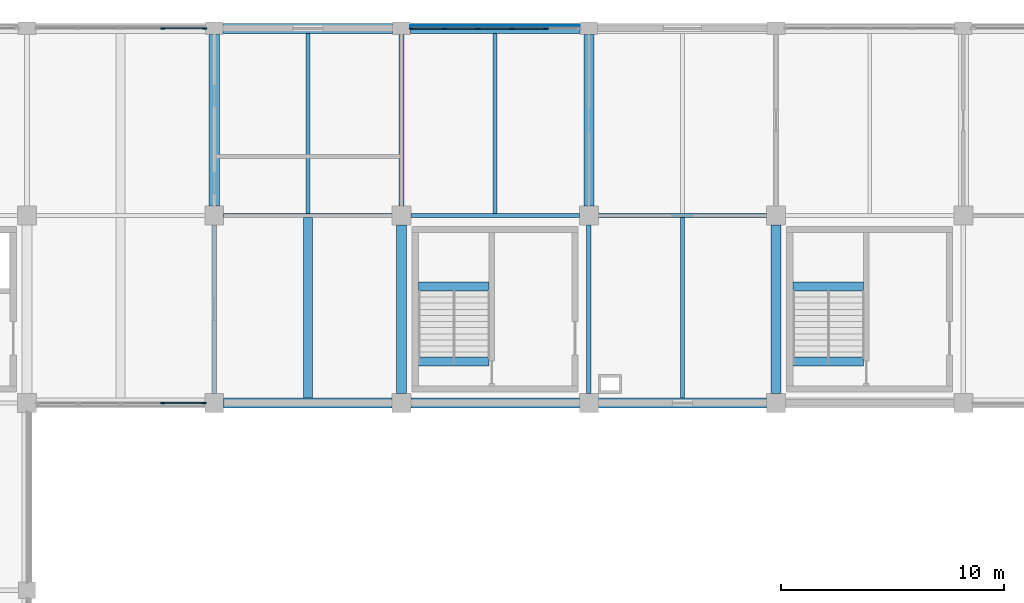
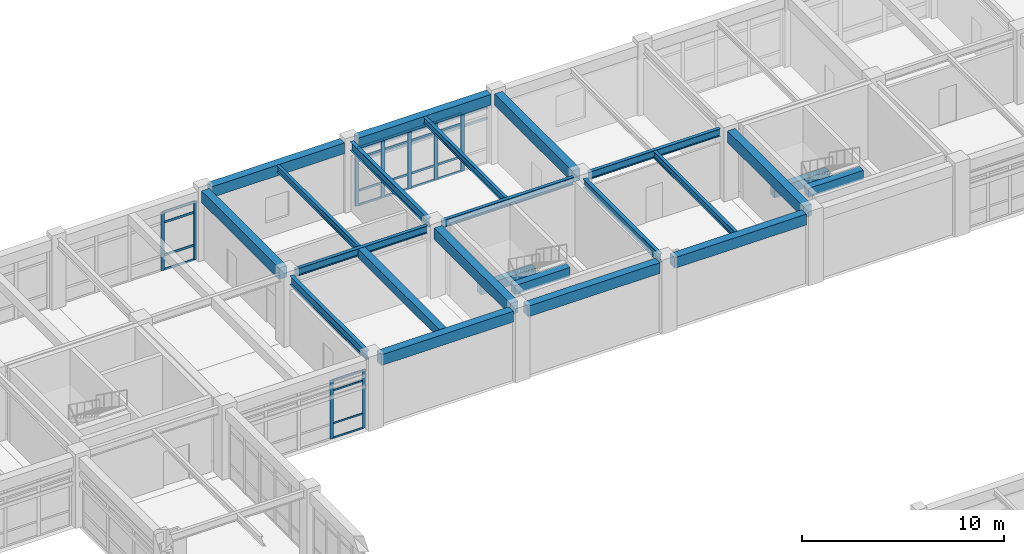
# One storey, part 26 of 78: 35 members, 23 beams, 3 elements without a shape of their own.
"""IFC4 building model written with IfcOpenShell, lengths in metres."""

from ifc_helpers import new_model, si_unit, direction, frame, origin, origin_2d, place, context, subcontext, project, spatial, rectangle, i_section, extrude, material, layer, layer_set, material_profile, profile_set, type_object, element, aggregate, save


model = new_model("IFC4")

# Units and contexts
model_context = context("Model", 3, precision=1e-05, world=origin(), true_north=direction((0.0, 1.0)))
body_context = subcontext(model_context, "Body", "Model", "MODEL_VIEW")
ifc_project = project(units=[si_unit("LENGTHUNIT", "METRE"), si_unit("AREAUNIT", "SQUARE_METRE"), si_unit("VOLUMEUNIT", "CUBIC_METRE"), si_unit("PLANEANGLEUNIT", "RADIAN"), si_unit("MASSUNIT", "GRAM", prefix="KILO")], contexts=[model_context])

# Site, building, storey
site_placement = place(None, origin())
site = spatial("IfcSite", under=ifc_project, at=site_placement, CompositionType="ELEMENT")
building_placement = place(site_placement, origin())
building = spatial("IfcBuilding", under=site, at=building_placement, Name="Porcellanite Civic Hall", CompositionType="ELEMENT")
storey_placement = place(building_placement, frame((0.0, 0.0, 10.260009765625)))
storey = spatial("IfcBuildingStorey", under=building, at=storey_placement, Name="L02", CompositionType="ELEMENT", Elevation=10.260009765625)

# Beams
ifc_material_1 = material(Name="Concrete N50 (50 MPa)", Category="concrete")
ifc_material_profile_1 = material_profile(ifc_material_1, rectangle(XDim=0.39990234375, YDim=0.550048828125, at=origin_2d()), Name="RC-400x550")
ifc_profile_set_1 = profile_set([ifc_material_profile_1], Name="Concrete N50 (50 MPa)")
beam_type_1 = type_object("IfcBeamType", Name="BM-RC550", PredefinedType="JOIST", material=ifc_profile_set_1)
beam_1_placement = place(storey_placement, frame((71.39990234375, 101.0244140625, 3.965087890625), z_axis=(0.0, 1.0, 0.0), x_axis=(-1.0, 0.0, 0.0)))
element("IfcBeam", 1, at=beam_1_placement, inside=storey, type_object=beam_type_1, Name="Secondary joist L02 9-13", PredefinedType="JOIST", context=body_context, shape_type="SweptSolid", body=[
    extrude(rectangle(XDim=0.39990234375, YDim=0.550048828125, at=origin_2d()), origin(), (0.0, 0.0, 1.0), 8.0810546875),
])
for number, where, z_axis, x_axis, name in (
    (2, (76.360595703125, 106.02490234375, 1.885009765625), (1.0, 0.0, 0.0), (0.0, 1.0, 0.0), "Stair landing beam S9 L02"),
    (3, (76.360595703125, 102.64990234375, 3.965087890625), (1.0, 0.0, 0.0), (0.0, 1.0, 0.0), "Stair header beam S9 L02"),
):
    element("IfcBeam", number, at=place(storey_placement, frame(where, z_axis=z_axis, x_axis=x_axis)), inside=storey, type_object=beam_type_1, Name=name, PredefinedType="JOIST", context=body_context, shape_type="SweptSolid", body=[
        extrude(rectangle(XDim=0.39990234375, YDim=0.550048828125, at=origin_2d()), origin(), (0.0, 0.0, 1.0), 3.158935546875),
    ])
for number, where, z_axis, x_axis, name in (
    (4, (93.160400390625, 106.02490234375, 1.885009765625), (1.0, 0.0, 0.0), (0.0, 1.0, 0.0), "Stair landing beam S10 L02"),
    (5, (93.160400390625, 102.64990234375, 3.965087890625), (1.0, 0.0, 0.0), (0.0, 1.0, 0.0), "Stair header beam S10 L02"),
):
    element("IfcBeam", number, at=place(storey_placement, frame(where, z_axis=z_axis, x_axis=x_axis)), inside=storey, type_object=beam_type_1, Name=name, PredefinedType="JOIST", context=body_context, shape_type="SweptSolid", body=[
        extrude(rectangle(XDim=0.39990234375, YDim=0.550048828125, at=origin_2d()), origin(), (0.0, 0.0, 1.0), 3.1591796875),
    ])
ifc_material_2 = material(Name="Concrete N50 (50 MPa)", Category="concrete")
ifc_material_profile_2 = material_profile(ifc_material_2, rectangle(XDim=0.449951171875, YDim=0.64990234375, at=origin_2d()), Name="RC-450x650")
ifc_profile_set_2 = profile_set([ifc_material_profile_2], Name="Concrete N50 (50 MPa)")
beam_type_2 = type_object("IfcBeamType", Name="BM-RC650", PredefinedType="SPANDREL", material=ifc_profile_set_2)
beam_2_placement = place(storey_placement, frame((67.62451171875, 100.800048828125, 3.9150390625), z_axis=(1.0, 0.0, 0.0), x_axis=(0.0, 1.0, 0.0)))
element("IfcBeam", 6, at=beam_2_placement, inside=storey, type_object=beam_type_2, Name="Beam X L02 9-13", PredefinedType="SPANDREL", context=body_context, shape_type="SweptSolid", body=[
    extrude(rectangle(XDim=0.449951171875, YDim=0.64990234375, at=origin_2d()), origin(), (0.0, 0.0, 1.0), 7.551025390625),
])
beam_3_placement = place(storey_placement, frame((67.599609375, 117.60009765625, 3.9150390625), z_axis=(1.0, 0.0, 0.0), x_axis=(0.0, 1.0, 0.0)))
element("IfcBeam", 7, at=beam_3_placement, inside=storey, type_object=beam_type_2, Name="Beam X L02 9-15", PredefinedType="SPANDREL", context=body_context, shape_type="SweptSolid", body=[
    extrude(rectangle(XDim=0.449951171875, YDim=0.64990234375, at=origin_2d()), origin(), (0.0, 0.0, 1.0), 7.600830078125),
])
beam_4_placement = place(storey_placement, frame((76.0244140625, 100.800048828125, 3.9150390625), z_axis=(1.0, 0.0, 0.0), x_axis=(0.0, 1.0, 0.0)))
element("IfcBeam", 8, at=beam_4_placement, inside=storey, type_object=beam_type_2, Name="Beam X L02 10-13", PredefinedType="SPANDREL", context=body_context, shape_type="SweptSolid", body=[
    extrude(rectangle(XDim=0.449951171875, YDim=0.64990234375, at=origin_2d()), origin(), (0.0, 0.0, 1.0), 7.551025390625),
])
beam_5_placement = place(storey_placement, frame((75.99951171875, 117.60009765625, 3.9150390625), z_axis=(1.0, 0.0, 0.0), x_axis=(0.0, 1.0, 0.0)))
element("IfcBeam", 9, at=beam_5_placement, inside=storey, type_object=beam_type_2, Name="Beam X L02 10-15", PredefinedType="SPANDREL", context=body_context, shape_type="SweptSolid", body=[
    extrude(rectangle(XDim=0.449951171875, YDim=0.64990234375, at=origin_2d()), origin(), (0.0, 0.0, 1.0), 7.60107421875),
])
beam_6_placement = place(storey_placement, frame((84.424560546875, 100.800048828125, 3.9150390625), z_axis=(1.0, 0.0, 0.0), x_axis=(0.0, 1.0, 0.0)))
element("IfcBeam", 10, at=beam_6_placement, inside=storey, type_object=beam_type_2, Name="Beam X L02 11-13", PredefinedType="SPANDREL", context=body_context, shape_type="SweptSolid", body=[
    extrude(rectangle(XDim=0.449951171875, YDim=0.64990234375, at=origin_2d()), origin(), (0.0, 0.0, 1.0), 7.551025390625),
])
ifc_material_3 = material(Name="Concrete N50 (50 MPa)", Category="concrete")
ifc_material_profile_3 = material_profile(ifc_material_3, rectangle(XDim=0.449951171875, YDim=0.699951171875, at=origin_2d()), Name="RC-450x700")
ifc_profile_set_3 = profile_set([ifc_material_profile_3], Name="Concrete N50 (50 MPa)")
beam_type_3 = type_object("IfcBeamType", Name="BM-RC700", PredefinedType="BEAM", material=ifc_profile_set_3)
beam_7_placement = place(storey_placement, frame((67.199951171875, 109.62451171875, 3.889892578125), z_axis=(0.0, 1.0, 0.0), x_axis=(-1.0, 0.0, 0.0)))
element("IfcBeam", 11, at=beam_7_placement, inside=storey, type_object=beam_type_3, Name="Beam Y L02 9-14", PredefinedType="BEAM", context=body_context, shape_type="SweptSolid", body=[
    extrude(rectangle(XDim=0.449951171875, YDim=0.699951171875, at=origin_2d()), origin(), (0.0, 0.0, 1.0), 7.700927734375),
])
beam_8_placement = place(storey_placement, frame((75.60009765625, 101.224609375, 3.889892578125), z_axis=(0.0, 1.0, 0.0), x_axis=(-1.0, 0.0, 0.0)))
element("IfcBeam", 12, at=beam_8_placement, inside=storey, type_object=beam_type_3, Name="Beam Y L02 10-13", PredefinedType="BEAM", context=body_context, shape_type="SweptSolid", body=[
    extrude(rectangle(XDim=0.449951171875, YDim=0.699951171875, at=origin_2d()), origin(), (0.0, 0.0, 1.0), 7.55078125),
])
beam_9_placement = place(storey_placement, frame((84.0, 109.62451171875, 3.889892578125), z_axis=(0.0, 1.0, 0.0), x_axis=(-1.0, 0.0, 0.0)))
element("IfcBeam", 13, at=beam_9_placement, inside=storey, type_object=beam_type_3, Name="Beam Y L02 11-14", PredefinedType="BEAM", context=body_context, shape_type="SweptSolid", body=[
    extrude(rectangle(XDim=0.449951171875, YDim=0.699951171875, at=origin_2d()), origin(), (0.0, 0.0, 1.0), 7.700927734375),
])
beam_10_placement = place(storey_placement, frame((92.39990234375, 101.224609375, 3.889892578125), z_axis=(0.0, 1.0, 0.0), x_axis=(-1.0, 0.0, 0.0)))
element("IfcBeam", 14, at=beam_10_placement, inside=storey, type_object=beam_type_3, Name="Beam Y L02 12-13", PredefinedType="BEAM", context=body_context, shape_type="SweptSolid", body=[
    extrude(rectangle(XDim=0.449951171875, YDim=0.699951171875, at=origin_2d()), origin(), (0.0, 0.0, 1.0), 7.55078125),
])

# Curtain wall, members
ifc_material_4 = material(Name="Anodised aluminium and solar laminated glass", Category="aluminium")
ifc_layer_1 = layer(ifc_material_4, 0.179931640625)
ifc_layer_set_1 = layer_set([ifc_layer_1], Name="Anodised aluminium and solar laminated glass")
curtain_wall_type_1 = type_object("IfcCurtainWallType", Name="CW-SYS04", PredefinedType="NOTDEFINED", material=ifc_layer_set_1)
curtain_wall_1_placement = place(storey_placement, origin())
curtain_wall_1 = element("IfcCurtainWall", 15, at=curtain_wall_1_placement, inside=storey, type_object=curtain_wall_type_1, Name="Curtain wall CW-151", PredefinedType="NOTDEFINED")
ifc_material_5 = material(Name="Anodised aluminium 6063-T6", Category="aluminium")
ifc_material_profile_4 = material_profile(ifc_material_5, rectangle(XDim=0.074951171875, YDim=0.18994140625, at=origin_2d()), Name="AL-75x190")
ifc_profile_set_4 = profile_set([ifc_material_profile_4], Name="Anodised aluminium 6063-T6")
member_type_1 = type_object("IfcMemberType", Name="CWM-04", PredefinedType="MULLION", material=ifc_profile_set_4)
member_1_placement = place(storey_placement, frame((66.736572265625, 100.800048828125, 0.0), z_axis=(0.0, 0.0, 1.0), x_axis=(0.0, -1.0, 0.0)))
member_1 = element("IfcMember", 16, at=member_1_placement, type_object=member_type_1, Name="CW-151 mullion 1", PredefinedType="MULLION", context=body_context, shape_type="SweptSolid", body=[
    extrude(rectangle(XDim=0.074951171875, YDim=0.18994140625, at=origin_2d()), origin(), (0.0, 0.0, 1.0), 3.5400390625),
])
member_2_placement = place(storey_placement, frame((64.886962890625, 100.800048828125, 0.0), z_axis=(0.0, 0.0, 1.0), x_axis=(0.0, -1.0, 0.0)))
member_2 = element("IfcMember", 17, at=member_2_placement, type_object=member_type_1, Name="CW-151 mullion 2", PredefinedType="MULLION", context=body_context, shape_type="SweptSolid", body=[
    extrude(rectangle(XDim=0.074951171875, YDim=0.18994140625, at=origin_2d()), origin(), (0.0, 0.0, 1.0), 3.5400390625),
])

ifc_material_6 = material(Name="Anodised aluminium and solar laminated glass", Category="aluminium")
ifc_layer_2 = layer(ifc_material_6, 0.179931640625)
ifc_layer_set_2 = layer_set([ifc_layer_2], Name="Anodised aluminium and solar laminated glass")
curtain_wall_type_2 = type_object("IfcCurtainWallType", Name="CW-SYS01", PredefinedType="NOTDEFINED", material=ifc_layer_set_2)
curtain_wall_2_placement = place(storey_placement, origin())
curtain_wall_2 = element("IfcCurtainWall", 18, at=curtain_wall_2_placement, inside=storey, type_object=curtain_wall_type_2, Name="Curtain wall CW-155", PredefinedType="NOTDEFINED")
ifc_material_7 = material(Name="Anodised aluminium 6063-T6", Category="aluminium")
ifc_material_profile_5 = material_profile(ifc_material_7, rectangle(XDim=0.070068359375, YDim=0.199951171875, at=origin_2d()), Name="AL-70x200")
ifc_profile_set_5 = profile_set([ifc_material_profile_5], Name="Anodised aluminium 6063-T6")
member_type_2 = type_object("IfcMemberType", Name="CWM-05", PredefinedType="MULLION", material=ifc_profile_set_5)
member_3_placement = place(storey_placement, frame((76.035888671875, 117.60009765625, 0.0), z_axis=(0.0, 0.0, 1.0), x_axis=(0.0, 1.0, 0.0)))
member_3 = element("IfcMember", 19, at=member_3_placement, type_object=member_type_2, Name="CW-155 mullion 1", PredefinedType="MULLION", context=body_context, shape_type="SweptSolid", body=[
    extrude(rectangle(XDim=0.070068359375, YDim=0.199951171875, at=origin_2d()), origin(), (0.0, 0.0, 1.0), 3.5400390625),
])
member_4_placement = place(storey_placement, frame((77.5205078125, 117.60009765625, 0.0), z_axis=(0.0, 0.0, 1.0), x_axis=(0.0, 1.0, 0.0)))
member_4 = element("IfcMember", 20, at=member_4_placement, type_object=member_type_2, Name="CW-155 mullion 2", PredefinedType="MULLION", context=body_context, shape_type="SweptSolid", body=[
    extrude(rectangle(XDim=0.070068359375, YDim=0.199951171875, at=origin_2d()), origin(), (0.0, 0.0, 1.0), 3.5400390625),
])
member_5_placement = place(storey_placement, frame((79.040283203125, 117.60009765625, 0.0), z_axis=(0.0, 0.0, 1.0), x_axis=(0.0, 1.0, 0.0)))
member_5 = element("IfcMember", 21, at=member_5_placement, type_object=member_type_2, Name="CW-155 mullion 3", PredefinedType="MULLION", context=body_context, shape_type="SweptSolid", body=[
    extrude(rectangle(XDim=0.070068359375, YDim=0.199951171875, at=origin_2d()), origin(), (0.0, 0.0, 1.0), 3.5400390625),
])
member_6_placement = place(storey_placement, frame((80.559814453125, 117.60009765625, 0.0), z_axis=(0.0, 0.0, 1.0), x_axis=(0.0, 1.0, 0.0)))
member_6 = element("IfcMember", 22, at=member_6_placement, type_object=member_type_2, Name="CW-155 mullion 4", PredefinedType="MULLION", context=body_context, shape_type="SweptSolid", body=[
    extrude(rectangle(XDim=0.070068359375, YDim=0.199951171875, at=origin_2d()), origin(), (0.0, 0.0, 1.0), 3.5400390625),
])
member_7_placement = place(storey_placement, frame((82.079345703125, 117.60009765625, 0.0), z_axis=(0.0, 0.0, 1.0), x_axis=(0.0, 1.0, 0.0)))
member_7 = element("IfcMember", 23, at=member_7_placement, type_object=member_type_2, Name="CW-155 mullion 5", PredefinedType="MULLION", context=body_context, shape_type="SweptSolid", body=[
    extrude(rectangle(XDim=0.070068359375, YDim=0.199951171875, at=origin_2d()), origin(), (0.0, 0.0, 1.0), 3.5400390625),
])

ifc_material_8 = material(Name="Anodised aluminium and solar laminated glass", Category="aluminium")
ifc_layer_3 = layer(ifc_material_8, 0.179931640625)
ifc_layer_set_3 = layer_set([ifc_layer_3], Name="Anodised aluminium and solar laminated glass")
curtain_wall_type_3 = type_object("IfcCurtainWallType", Name="CW-SYS06", PredefinedType="NOTDEFINED", material=ifc_layer_set_3)
curtain_wall_3_placement = place(storey_placement, origin())
curtain_wall_3 = element("IfcCurtainWall", 24, at=curtain_wall_3_placement, inside=storey, type_object=curtain_wall_type_3, Name="Curtain wall CW-152", PredefinedType="NOTDEFINED")
ifc_material_9 = material(Name="Anodised aluminium 6063-T6", Category="aluminium")
ifc_material_profile_6 = material_profile(ifc_material_9, rectangle(XDim=0.06494140625, YDim=0.179931640625, at=origin_2d()), Name="AL-65x180")
ifc_profile_set_6 = profile_set([ifc_material_profile_6], Name="Anodised aluminium 6063-T6")
member_type_3 = type_object("IfcMemberType", Name="CWM-06", PredefinedType="MULLION", material=ifc_profile_set_6)
member_8_placement = place(storey_placement, frame((64.8994140625, 117.60009765625, 0.0), z_axis=(0.0, 0.0, 1.0), x_axis=(0.0, 1.0, 0.0)))
member_8 = element("IfcMember", 25, at=member_8_placement, type_object=member_type_3, Name="CW-152 mullion 4", PredefinedType="MULLION", context=body_context, shape_type="SweptSolid", body=[
    extrude(rectangle(XDim=0.06494140625, YDim=0.179931640625, at=origin_2d()), origin(), (0.0, 0.0, 1.0), 3.5400390625),
])
member_9_placement = place(storey_placement, frame((66.7666015625, 117.60009765625, 0.0), z_axis=(0.0, 0.0, 1.0), x_axis=(0.0, 1.0, 0.0)))
member_9 = element("IfcMember", 26, at=member_9_placement, type_object=member_type_3, Name="CW-152 mullion 5", PredefinedType="MULLION", context=body_context, shape_type="SweptSolid", body=[
    extrude(rectangle(XDim=0.06494140625, YDim=0.179931640625, at=origin_2d()), origin(), (0.0, 0.0, 1.0), 3.5400390625),
])

# Member
ifc_material_10 = material(Name="Anodised aluminium 6063-T6", Category="aluminium")
ifc_material_profile_7 = material_profile(ifc_material_10, rectangle(XDim=0.06005859375, YDim=0.1298828125, at=origin_2d()), Name="AL-60x130")
ifc_profile_set_7 = profile_set([ifc_material_profile_7], Name="Anodised aluminium 6063-T6")
member_type_4 = type_object("IfcMemberType", Name="CWT-03", PredefinedType="USERDEFINED", material=ifc_profile_set_7)
member_10_placement = place(storey_placement, frame((76.071044921875, 117.60009765625, 0.030029296875), z_axis=(1.0, 0.0, 0.0), x_axis=(0.0, 1.0, 0.0)))
member_10 = element("IfcMember", 27, at=member_10_placement, type_object=member_type_4, Name="CW-155 transom 1.1", ObjectType="TRANSOM", PredefinedType="USERDEFINED", context=body_context, shape_type="SweptSolid", body=[
    extrude(rectangle(XDim=0.06005859375, YDim=0.1298828125, at=origin_2d()), origin(), (0.0, 0.0, 1.0), 1.41455078125),
])

member_11_placement = place(storey_placement, frame((76.071044921875, 117.60009765625, 0.89990234375), z_axis=(1.0, 0.0, 0.0), x_axis=(0.0, 1.0, 0.0)))
member_11 = element("IfcMember", 28, at=member_11_placement, type_object=member_type_4, Name="CW-155 transom 1.2", ObjectType="TRANSOM", PredefinedType="USERDEFINED", context=body_context, shape_type="SweptSolid", body=[
    extrude(rectangle(XDim=0.06005859375, YDim=0.1298828125, at=origin_2d()), origin(), (0.0, 0.0, 1.0), 1.41455078125),
])

member_12_placement = place(storey_placement, frame((76.071044921875, 117.60009765625, 2.889892578125), z_axis=(1.0, 0.0, 0.0), x_axis=(0.0, 1.0, 0.0)))
member_12 = element("IfcMember", 29, at=member_12_placement, type_object=member_type_4, Name="CW-155 transom 1.3", ObjectType="TRANSOM", PredefinedType="USERDEFINED", context=body_context, shape_type="SweptSolid", body=[
    extrude(rectangle(XDim=0.06005859375, YDim=0.1298828125, at=origin_2d()), origin(), (0.0, 0.0, 1.0), 1.41455078125),
])

member_13_placement = place(storey_placement, frame((76.071044921875, 117.60009765625, 3.510009765625), z_axis=(1.0, 0.0, 0.0), x_axis=(0.0, 1.0, 0.0)))
member_13 = element("IfcMember", 30, at=member_13_placement, type_object=member_type_4, Name="CW-155 transom 1.4", ObjectType="TRANSOM", PredefinedType="USERDEFINED", context=body_context, shape_type="SweptSolid", body=[
    extrude(rectangle(XDim=0.06005859375, YDim=0.1298828125, at=origin_2d()), origin(), (0.0, 0.0, 1.0), 1.41455078125),
])

member_14_placement = place(storey_placement, frame((77.5556640625, 117.60009765625, 0.030029296875), z_axis=(1.0, 0.0, 0.0), x_axis=(0.0, 1.0, 0.0)))
member_14 = element("IfcMember", 31, at=member_14_placement, type_object=member_type_4, Name="CW-155 transom 2.1", ObjectType="TRANSOM", PredefinedType="USERDEFINED", context=body_context, shape_type="SweptSolid", body=[
    extrude(rectangle(XDim=0.06005859375, YDim=0.1298828125, at=origin_2d()), origin(), (0.0, 0.0, 1.0), 1.449462890625),
])

member_15_placement = place(storey_placement, frame((77.5556640625, 117.60009765625, 0.89990234375), z_axis=(1.0, 0.0, 0.0), x_axis=(0.0, 1.0, 0.0)))
member_15 = element("IfcMember", 32, at=member_15_placement, type_object=member_type_4, Name="CW-155 transom 2.2", ObjectType="TRANSOM", PredefinedType="USERDEFINED", context=body_context, shape_type="SweptSolid", body=[
    extrude(rectangle(XDim=0.06005859375, YDim=0.1298828125, at=origin_2d()), origin(), (0.0, 0.0, 1.0), 1.449462890625),
])

member_16_placement = place(storey_placement, frame((77.5556640625, 117.60009765625, 2.889892578125), z_axis=(1.0, 0.0, 0.0), x_axis=(0.0, 1.0, 0.0)))
member_16 = element("IfcMember", 33, at=member_16_placement, type_object=member_type_4, Name="CW-155 transom 2.3", ObjectType="TRANSOM", PredefinedType="USERDEFINED", context=body_context, shape_type="SweptSolid", body=[
    extrude(rectangle(XDim=0.06005859375, YDim=0.1298828125, at=origin_2d()), origin(), (0.0, 0.0, 1.0), 1.449462890625),
])

member_17_placement = place(storey_placement, frame((77.5556640625, 117.60009765625, 3.510009765625), z_axis=(1.0, 0.0, 0.0), x_axis=(0.0, 1.0, 0.0)))
member_17 = element("IfcMember", 34, at=member_17_placement, type_object=member_type_4, Name="CW-155 transom 2.4", ObjectType="TRANSOM", PredefinedType="USERDEFINED", context=body_context, shape_type="SweptSolid", body=[
    extrude(rectangle(XDim=0.06005859375, YDim=0.1298828125, at=origin_2d()), origin(), (0.0, 0.0, 1.0), 1.449462890625),
])

member_18_placement = place(storey_placement, frame((79.0751953125, 117.60009765625, 0.030029296875), z_axis=(1.0, 0.0, 0.0), x_axis=(0.0, 1.0, 0.0)))
member_18 = element("IfcMember", 35, at=member_18_placement, type_object=member_type_4, Name="CW-155 transom 3.1", ObjectType="TRANSOM", PredefinedType="USERDEFINED", context=body_context, shape_type="SweptSolid", body=[
    extrude(rectangle(XDim=0.06005859375, YDim=0.1298828125, at=origin_2d()), origin(), (0.0, 0.0, 1.0), 1.44970703125),
])

member_19_placement = place(storey_placement, frame((79.0751953125, 117.60009765625, 0.89990234375), z_axis=(1.0, 0.0, 0.0), x_axis=(0.0, 1.0, 0.0)))
member_19 = element("IfcMember", 36, at=member_19_placement, type_object=member_type_4, Name="CW-155 transom 3.2", ObjectType="TRANSOM", PredefinedType="USERDEFINED", context=body_context, shape_type="SweptSolid", body=[
    extrude(rectangle(XDim=0.06005859375, YDim=0.1298828125, at=origin_2d()), origin(), (0.0, 0.0, 1.0), 1.44970703125),
])

member_20_placement = place(storey_placement, frame((79.0751953125, 117.60009765625, 2.889892578125), z_axis=(1.0, 0.0, 0.0), x_axis=(0.0, 1.0, 0.0)))
member_20 = element("IfcMember", 37, at=member_20_placement, type_object=member_type_4, Name="CW-155 transom 3.3", ObjectType="TRANSOM", PredefinedType="USERDEFINED", context=body_context, shape_type="SweptSolid", body=[
    extrude(rectangle(XDim=0.06005859375, YDim=0.1298828125, at=origin_2d()), origin(), (0.0, 0.0, 1.0), 1.44970703125),
])

member_21_placement = place(storey_placement, frame((79.0751953125, 117.60009765625, 3.510009765625), z_axis=(1.0, 0.0, 0.0), x_axis=(0.0, 1.0, 0.0)))
member_21 = element("IfcMember", 38, at=member_21_placement, type_object=member_type_4, Name="CW-155 transom 3.4", ObjectType="TRANSOM", PredefinedType="USERDEFINED", context=body_context, shape_type="SweptSolid", body=[
    extrude(rectangle(XDim=0.06005859375, YDim=0.1298828125, at=origin_2d()), origin(), (0.0, 0.0, 1.0), 1.44970703125),
])

member_22_placement = place(storey_placement, frame((80.5947265625, 117.60009765625, 0.030029296875), z_axis=(1.0, 0.0, 0.0), x_axis=(0.0, 1.0, 0.0)))
member_22 = element("IfcMember", 39, at=member_22_placement, type_object=member_type_4, Name="CW-155 transom 4.1", ObjectType="TRANSOM", PredefinedType="USERDEFINED", context=body_context, shape_type="SweptSolid", body=[
    extrude(rectangle(XDim=0.06005859375, YDim=0.1298828125, at=origin_2d()), origin(), (0.0, 0.0, 1.0), 1.44970703125),
])

member_23_placement = place(storey_placement, frame((80.5947265625, 117.60009765625, 0.89990234375), z_axis=(1.0, 0.0, 0.0), x_axis=(0.0, 1.0, 0.0)))
member_23 = element("IfcMember", 40, at=member_23_placement, type_object=member_type_4, Name="CW-155 transom 4.2", ObjectType="TRANSOM", PredefinedType="USERDEFINED", context=body_context, shape_type="SweptSolid", body=[
    extrude(rectangle(XDim=0.06005859375, YDim=0.1298828125, at=origin_2d()), origin(), (0.0, 0.0, 1.0), 1.44970703125),
])

member_24_placement = place(storey_placement, frame((80.5947265625, 117.60009765625, 2.889892578125), z_axis=(1.0, 0.0, 0.0), x_axis=(0.0, 1.0, 0.0)))
member_24 = element("IfcMember", 41, at=member_24_placement, type_object=member_type_4, Name="CW-155 transom 4.3", ObjectType="TRANSOM", PredefinedType="USERDEFINED", context=body_context, shape_type="SweptSolid", body=[
    extrude(rectangle(XDim=0.06005859375, YDim=0.1298828125, at=origin_2d()), origin(), (0.0, 0.0, 1.0), 1.44970703125),
])

member_25_placement = place(storey_placement, frame((80.5947265625, 117.60009765625, 3.510009765625), z_axis=(1.0, 0.0, 0.0), x_axis=(0.0, 1.0, 0.0)))
member_25 = element("IfcMember", 42, at=member_25_placement, type_object=member_type_4, Name="CW-155 transom 4.4", ObjectType="TRANSOM", PredefinedType="USERDEFINED", context=body_context, shape_type="SweptSolid", body=[
    extrude(rectangle(XDim=0.06005859375, YDim=0.1298828125, at=origin_2d()), origin(), (0.0, 0.0, 1.0), 1.44970703125),
])

aggregate(curtain_wall_2, [member_3, member_4, member_5, member_6, member_7, member_10, member_11, member_12, member_13, member_14, member_15, member_16, member_17, member_18, member_19, member_20, member_21, member_22, member_23, member_24, member_25])

ifc_material_11 = material(Name="Anodised aluminium 6063-T6", Category="aluminium")
ifc_material_profile_8 = material_profile(ifc_material_11, rectangle(XDim=0.054931640625, YDim=0.10009765625, at=origin_2d()), Name="AL-55x100")
ifc_profile_set_8 = profile_set([ifc_material_profile_8], Name="Anodised aluminium 6063-T6")
member_type_5 = type_object("IfcMemberType", Name="CWT-05", PredefinedType="USERDEFINED", material=ifc_profile_set_8)
member_26_placement = place(storey_placement, frame((66.698974609375, 100.800048828125, 0.027587890625), z_axis=(-1.0, 0.0, 0.0), x_axis=(0.0, -1.0, 0.0)))
member_26 = element("IfcMember", 43, at=member_26_placement, type_object=member_type_5, Name="CW-151 transom 1.1", ObjectType="TRANSOM", PredefinedType="USERDEFINED", context=body_context, shape_type="SweptSolid", body=[
    extrude(rectangle(XDim=0.054931640625, YDim=0.10009765625, at=origin_2d()), origin(), (0.0, 0.0, 1.0), 1.7744140625),
])

member_27_placement = place(storey_placement, frame((66.698974609375, 100.800048828125, 0.89990234375), z_axis=(-1.0, 0.0, 0.0), x_axis=(0.0, -1.0, 0.0)))
member_27 = element("IfcMember", 44, at=member_27_placement, type_object=member_type_5, Name="CW-151 transom 1.2", ObjectType="TRANSOM", PredefinedType="USERDEFINED", context=body_context, shape_type="SweptSolid", body=[
    extrude(rectangle(XDim=0.054931640625, YDim=0.10009765625, at=origin_2d()), origin(), (0.0, 0.0, 1.0), 1.7744140625),
])

member_28_placement = place(storey_placement, frame((66.698974609375, 100.800048828125, 2.889892578125), z_axis=(-1.0, 0.0, 0.0), x_axis=(0.0, -1.0, 0.0)))
member_28 = element("IfcMember", 45, at=member_28_placement, type_object=member_type_5, Name="CW-151 transom 1.3", ObjectType="TRANSOM", PredefinedType="USERDEFINED", context=body_context, shape_type="SweptSolid", body=[
    extrude(rectangle(XDim=0.054931640625, YDim=0.10009765625, at=origin_2d()), origin(), (0.0, 0.0, 1.0), 1.7744140625),
])

member_29_placement = place(storey_placement, frame((66.698974609375, 100.800048828125, 3.512451171875), z_axis=(-1.0, 0.0, 0.0), x_axis=(0.0, -1.0, 0.0)))
member_29 = element("IfcMember", 46, at=member_29_placement, type_object=member_type_5, Name="CW-151 transom 1.4", ObjectType="TRANSOM", PredefinedType="USERDEFINED", context=body_context, shape_type="SweptSolid", body=[
    extrude(rectangle(XDim=0.054931640625, YDim=0.10009765625, at=origin_2d()), origin(), (0.0, 0.0, 1.0), 1.7744140625),
])

aggregate(curtain_wall_1, [member_1, member_2, member_26, member_27, member_28, member_29])

ifc_material_12 = material(Name="Anodised aluminium 6063-T6", Category="aluminium")
ifc_material_profile_9 = material_profile(ifc_material_12, rectangle(XDim=0.050048828125, YDim=0.139892578125, at=origin_2d()), Name="AL-50x140")
ifc_profile_set_9 = profile_set([ifc_material_profile_9], Name="Anodised aluminium 6063-T6")
member_type_6 = type_object("IfcMemberType", Name="CWT-06", PredefinedType="USERDEFINED", material=ifc_profile_set_9)
member_30_placement = place(storey_placement, frame((64.931884765625, 117.60009765625, 0.02490234375), z_axis=(1.0, 0.0, 0.0), x_axis=(0.0, 1.0, 0.0)))
member_30 = element("IfcMember", 47, at=member_30_placement, type_object=member_type_6, Name="CW-152 transom 4.1", ObjectType="TRANSOM", PredefinedType="USERDEFINED", context=body_context, shape_type="SweptSolid", body=[
    extrude(rectangle(XDim=0.050048828125, YDim=0.139892578125, at=origin_2d()), origin(), (0.0, 0.0, 1.0), 1.802001953125),
])

member_31_placement = place(storey_placement, frame((64.931884765625, 117.60009765625, 0.89990234375), z_axis=(1.0, 0.0, 0.0), x_axis=(0.0, 1.0, 0.0)))
member_31 = element("IfcMember", 48, at=member_31_placement, type_object=member_type_6, Name="CW-152 transom 4.2", ObjectType="TRANSOM", PredefinedType="USERDEFINED", context=body_context, shape_type="SweptSolid", body=[
    extrude(rectangle(XDim=0.050048828125, YDim=0.139892578125, at=origin_2d()), origin(), (0.0, 0.0, 1.0), 1.802001953125),
])

member_32_placement = place(storey_placement, frame((64.931884765625, 117.60009765625, 2.889892578125), z_axis=(1.0, 0.0, 0.0), x_axis=(0.0, 1.0, 0.0)))
member_32 = element("IfcMember", 49, at=member_32_placement, type_object=member_type_6, Name="CW-152 transom 4.3", ObjectType="TRANSOM", PredefinedType="USERDEFINED", context=body_context, shape_type="SweptSolid", body=[
    extrude(rectangle(XDim=0.050048828125, YDim=0.139892578125, at=origin_2d()), origin(), (0.0, 0.0, 1.0), 1.802001953125),
])

member_33_placement = place(storey_placement, frame((64.931884765625, 117.60009765625, 3.514892578125), z_axis=(1.0, 0.0, 0.0), x_axis=(0.0, 1.0, 0.0)))
member_33 = element("IfcMember", 50, at=member_33_placement, type_object=member_type_6, Name="CW-152 transom 4.4", ObjectType="TRANSOM", PredefinedType="USERDEFINED", context=body_context, shape_type="SweptSolid", body=[
    extrude(rectangle(XDim=0.050048828125, YDim=0.139892578125, at=origin_2d()), origin(), (0.0, 0.0, 1.0), 1.802001953125),
])

aggregate(curtain_wall_3, [member_8, member_9, member_30, member_31, member_32, member_33])

# Beams
ifc_material_13 = material(Name="Steel Grade 350", Category="steel")
ifc_material_profile_10 = material_profile(ifc_material_13, i_section(OverallWidth=0.177978515625, OverallDepth=0.403076171875, WebThickness=0.007568359375, FlangeThickness=0.010986328125, FilletRadius=0.011474609375, at=origin_2d()), Name="410UB53.7")
ifc_profile_set_10 = profile_set([ifc_material_profile_10], Name="Steel Grade 350")
beam_type_4 = type_object("IfcBeamType", Name="JST-410UB54", PredefinedType="JOIST", material=ifc_profile_set_10)
for number, where, z_axis, x_axis, name in (
    (51, (79.800048828125, 109.29443359375, 4.03857421875), (0.0, 1.0, 0.0), (-1.0, 0.0, 0.0), "Secondary joist L02 10-14"),
    (52, (88.199951171875, 101.0244140625, 4.03857421875), (0.0, 1.0, 0.0), (-1.0, 0.0, 0.0), "Secondary joist L02 11-13"),
):
    element("IfcBeam", number, at=place(storey_placement, frame(where, z_axis=z_axis, x_axis=x_axis)), inside=storey, type_object=beam_type_4, Name=name, PredefinedType="JOIST", context=body_context, shape_type="SweptSolid", body=[
        extrude(i_section(OverallWidth=0.177978515625, OverallDepth=0.403076171875, WebThickness=0.007568359375, FlangeThickness=0.010986328125, FilletRadius=0.011474609375, at=origin_2d()), origin(), (0.0, 0.0, 1.0), 8.0810546875),
    ])
ifc_material_14 = material(Name="Steel Grade 350", Category="steel")
ifc_material_profile_11 = material_profile(ifc_material_14, i_section(OverallWidth=0.177978515625, OverallDepth=0.406005859375, WebThickness=0.0078125, FlangeThickness=0.0126953125, FilletRadius=0.011474609375, at=origin_2d()), Name="410UB59.7")
ifc_profile_set_11 = profile_set([ifc_material_profile_11], Name="Steel Grade 350")
beam_type_5 = type_object("IfcBeamType", Name="JST-410UB60", PredefinedType="JOIST", material=ifc_profile_set_11)
beam_11_placement = place(storey_placement, frame((71.39990234375, 109.29443359375, 4.037109375), z_axis=(0.0, 1.0, 0.0), x_axis=(-1.0, 0.0, 0.0)))
element("IfcBeam", 53, at=beam_11_placement, inside=storey, type_object=beam_type_5, Name="Secondary joist L02 9-14", PredefinedType="JOIST", context=body_context, shape_type="SweptSolid", body=[
    extrude(i_section(OverallWidth=0.177978515625, OverallDepth=0.406005859375, WebThickness=0.0078125, FlangeThickness=0.0126953125, FilletRadius=0.011474609375, at=origin_2d()), origin(), (0.0, 0.0, 1.0), 8.0810546875),
])

# Members
ifc_material_15 = material(Name="Fluoropolymer bauxite-red aluminium 6063-T6", Category="aluminium")
ifc_material_profile_12 = material_profile(ifc_material_15, rectangle(XDim=0.0400390625, YDim=0.139892578125, at=origin_2d()), Name="AL-40x140")
ifc_profile_set_12 = profile_set([ifc_material_profile_12], Name="Fluoropolymer bauxite-red aluminium 6063-T6")
member_type_7 = type_object("IfcMemberType", Name="LV-BLD12", PredefinedType="USERDEFINED", material=ifc_profile_set_12)
for number, where, z_axis, x_axis, name in (
    (54, (75.99951171875, 117.721923828125, 3.239990234375), (1.0, 0.0, 0.0), (0.0, 1.0, 0.0), "Cyclone sunshade louvre L02 N 9-13 1"),
    (55, (75.99951171875, 117.721923828125, 2.590087890625), (1.0, 0.0, 0.0), (0.0, 1.0, 0.0), "Cyclone sunshade louvre L02 N 9-13 2"),
):
    element("IfcMember", number, at=place(storey_placement, frame(where, z_axis=z_axis, x_axis=x_axis)), inside=storey, type_object=member_type_7, Name=name, ObjectType="LOUVRE BLADE", PredefinedType="USERDEFINED", context=body_context, shape_type="SweptSolid", body=[
        extrude(rectangle(XDim=0.0400390625, YDim=0.139892578125, at=origin_2d()), origin(), (0.0, 0.0, 1.0), 7.60107421875),
    ])

# Beams
ifc_material_16 = material(Name="Steel Grade 350", Category="steel")
ifc_material_profile_13 = material_profile(ifc_material_16, i_section(OverallWidth=0.18994140625, OverallDepth=0.4541015625, WebThickness=0.008544921875, FlangeThickness=0.0126953125, FilletRadius=0.011474609375, at=origin_2d()), Name="460UB67.1")
ifc_profile_set_13 = profile_set([ifc_material_profile_13], Name="Steel Grade 350")
beam_type_6 = type_object("IfcBeamType", Name="RAF-460UB67", PredefinedType="BEAM", material=ifc_profile_set_13)
for number, where, z_axis, x_axis, name in (
    (56, (67.62451171875, 109.199951171875, 4.012939453125), (1.0, 0.0, 0.0), (0.0, 1.0, 0.0), "Beam X L02 9-14"),
    (57, (76.0244140625, 109.199951171875, 4.012939453125), (1.0, 0.0, 0.0), (0.0, 1.0, 0.0), "Beam X L02 10-14"),
    (58, (84.424560546875, 109.199951171875, 4.012939453125), (1.0, 0.0, 0.0), (0.0, 1.0, 0.0), "Beam X L02 11-14"),
):
    element("IfcBeam", number, at=place(storey_placement, frame(where, z_axis=z_axis, x_axis=x_axis)), inside=storey, type_object=beam_type_6, Name=name, PredefinedType="BEAM", context=body_context, shape_type="SweptSolid", body=[
        extrude(i_section(OverallWidth=0.18994140625, OverallDepth=0.4541015625, WebThickness=0.008544921875, FlangeThickness=0.0126953125, FilletRadius=0.011474609375, at=origin_2d()), origin(), (0.0, 0.0, 1.0), 7.551025390625),
    ])
ifc_material_17 = material(Name="Steel Grade 350", Category="steel")
ifc_material_profile_14 = material_profile(ifc_material_17, i_section(OverallWidth=0.208984375, OverallDepth=0.528076171875, WebThickness=0.009521484375, FlangeThickness=0.01318359375, FilletRadius=0.013916015625, at=origin_2d()), Name="530UB82.0")
ifc_profile_set_14 = profile_set([ifc_material_profile_14], Name="Steel Grade 350")
beam_type_7 = type_object("IfcBeamType", Name="RAF-530UB82", PredefinedType="BEAM", material=ifc_profile_set_14)
beam_12_placement = place(storey_placement, frame((67.199951171875, 101.224609375, 3.97607421875), z_axis=(0.0, 1.0, 0.0), x_axis=(-1.0, 0.0, 0.0)))
element("IfcBeam", 59, at=beam_12_placement, inside=storey, type_object=beam_type_7, Name="Beam Y L02 9-13", PredefinedType="BEAM", context=body_context, shape_type="SweptSolid", body=[
    extrude(i_section(OverallWidth=0.208984375, OverallDepth=0.528076171875, WebThickness=0.009521484375, FlangeThickness=0.01318359375, FilletRadius=0.013916015625, at=origin_2d()), origin(), (0.0, 0.0, 1.0), 7.55078125),
])
beam_13_placement = place(storey_placement, frame((75.60009765625, 109.62451171875, 3.97607421875), z_axis=(0.0, 1.0, 0.0), x_axis=(-1.0, 0.0, 0.0)))
element("IfcBeam", 60, at=beam_13_placement, inside=storey, type_object=beam_type_7, Name="Beam Y L02 10-14", PredefinedType="BEAM", context=body_context, shape_type="SweptSolid", body=[
    extrude(i_section(OverallWidth=0.208984375, OverallDepth=0.528076171875, WebThickness=0.009521484375, FlangeThickness=0.01318359375, FilletRadius=0.013916015625, at=origin_2d()), origin(), (0.0, 0.0, 1.0), 7.700927734375),
])
beam_14_placement = place(storey_placement, frame((84.0, 101.224609375, 3.97607421875), z_axis=(0.0, 1.0, 0.0), x_axis=(-1.0, 0.0, 0.0)))
element("IfcBeam", 61, at=beam_14_placement, inside=storey, type_object=beam_type_7, Name="Beam Y L02 11-13", PredefinedType="BEAM", context=body_context, shape_type="SweptSolid", body=[
    extrude(i_section(OverallWidth=0.208984375, OverallDepth=0.528076171875, WebThickness=0.009521484375, FlangeThickness=0.01318359375, FilletRadius=0.013916015625, at=origin_2d()), origin(), (0.0, 0.0, 1.0), 7.55078125),
])

save(model, "model.ifc")
